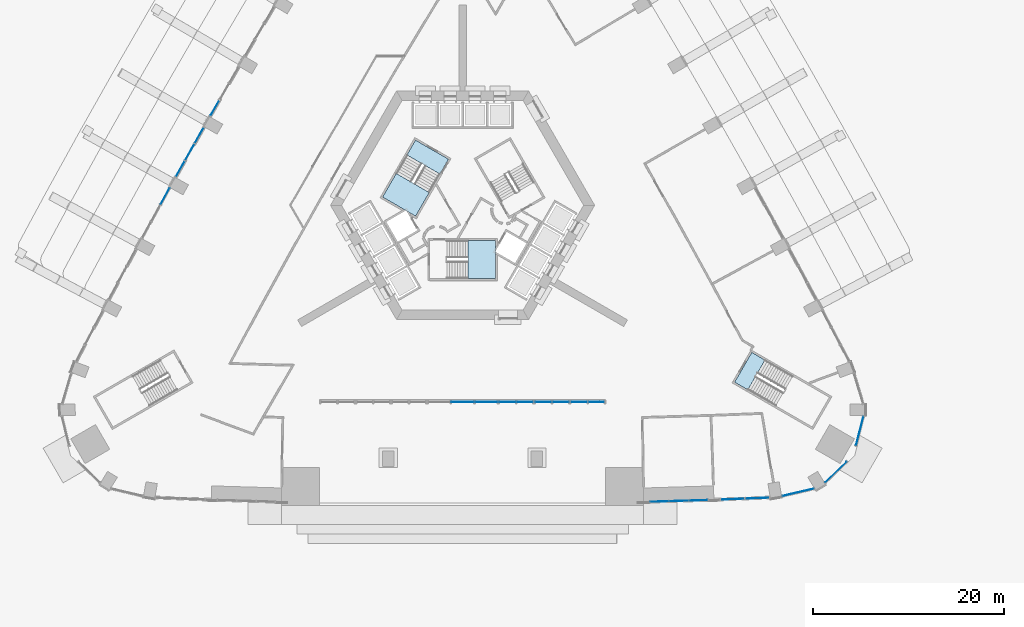
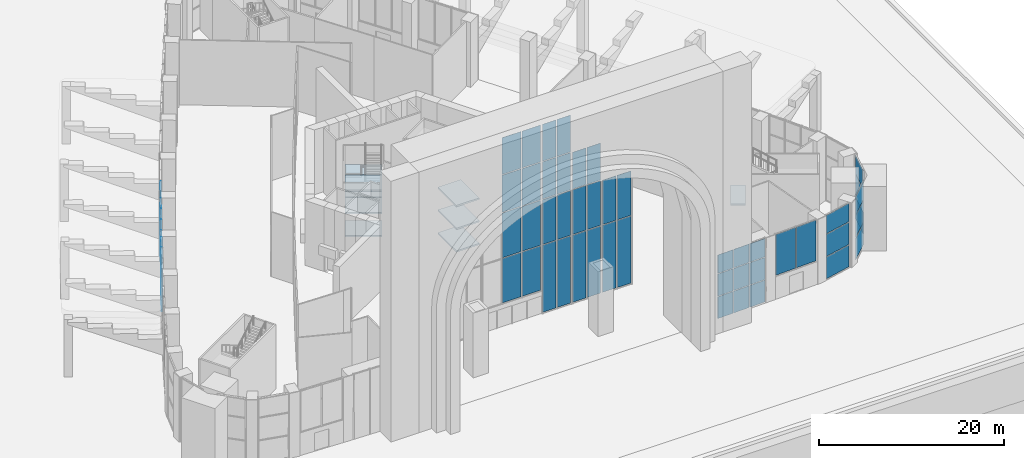
# One storey, part 11 of 36: 53 plates, 9 slabs, 15 elements without a shape of their own.
"""IFC4 building model written with IfcOpenShell, lengths in metres."""

from ifc_helpers import new_model, si_unit, direction, frame, origin, origin_2d, place, context, subcontext, project, spatial, polyline, rectangle, outline, extrude, material, layer, layer_set, type_object, element, aggregate, save


model = new_model("IFC4")

# Units and contexts
model_context = context("Model", 3, precision=1e-05, world=origin(), true_north=direction((0.0, 1.0)))
body_context = subcontext(model_context, "Body", "Model", "MODEL_VIEW")
ifc_project = project(units=[si_unit("LENGTHUNIT", "METRE"), si_unit("AREAUNIT", "SQUARE_METRE"), si_unit("VOLUMEUNIT", "CUBIC_METRE"), si_unit("PLANEANGLEUNIT", "RADIAN"), si_unit("MASSUNIT", "GRAM", prefix="KILO")], contexts=[model_context])

# Site, building, storey
site_placement = place(None, origin())
site = spatial("IfcSite", under=ifc_project, at=site_placement, CompositionType="ELEMENT")
building_placement = place(site_placement, origin())
building = spatial("IfcBuilding", under=site, at=building_placement, Name="Entoto Arch Interchange Tower", CompositionType="ELEMENT")
storey_placement = place(building_placement, origin())
storey = spatial("IfcBuildingStorey", under=building, at=storey_placement, Name="L00", CompositionType="ELEMENT", Elevation=0.0)

# Stair, slabs
ifc_material_1 = material(Name="Concrete C40/50", Category="concrete")
stair_type_1 = type_object("IfcStairType", Name="EXIT STAIR RC 1800", PredefinedType="HALF_TURN_STAIR", material=ifc_material_1)
stair_1_placement = place(storey_placement, origin())
stair_1 = element("IfcStair", 1, at=stair_1_placement, inside=storey, type_object=stair_type_1, Name="L00 Exit stair S", PredefinedType="HALF_TURN_STAIR")
ifc_layer_1 = layer(ifc_material_1, 0.199951171875)
ifc_layer_set_1 = layer_set([ifc_layer_1], Name="Concrete C40/50")
slab_type = type_object("IfcSlabType", Name="EXIT STAIR LANDING RC 200", PredefinedType="LANDING", material=ifc_layer_set_1)
slab_1_placement = place(storey_placement, frame((0.0, 0.0, 1.300048828125)))
slab_1 = element("IfcSlab", 2, at=slab_1_placement, type_object=slab_type, Name="ST-S landing 1", PredefinedType="LANDING", context=body_context, shape_type="SweptSolid", body=[
    extrude(outline(polyline([(0.590087890625, -5.199951171875), (3.449951171875, -5.199951171875), (3.449951171875, -1.199951171875), (0.590087890625, -1.199951171875), (0.590087890625, -5.199951171875)])), origin(), (0.0, 0.0, 1.0), 0.199951171875),
])
slab_2_placement = place(storey_placement, frame((0.0, 0.0, 4.300048828125)))
slab_2 = element("IfcSlab", 3, at=slab_2_placement, type_object=slab_type, Name="ST-S landing 3", PredefinedType="LANDING", context=body_context, shape_type="SweptSolid", body=[
    extrude(outline(polyline([(0.590087890625, -5.199951171875), (3.449951171875, -5.199951171875), (3.449951171875, -1.199951171875), (0.590087890625, -1.199951171875), (0.590087890625, -5.199951171875)])), origin(), (0.0, 0.0, 1.0), 0.199951171875),
])
slab_3_placement = place(storey_placement, frame((0.0, 0.0, 7.300048828125)))
slab_3 = element("IfcSlab", 4, at=slab_3_placement, type_object=slab_type, Name="ST-S landing 5", PredefinedType="LANDING", context=body_context, shape_type="SweptSolid", body=[
    extrude(outline(polyline([(0.590087890625, -5.199951171875), (3.449951171875, -5.199951171875), (3.449951171875, -1.199951171875), (0.590087890625, -1.199951171875), (0.590087890625, -5.199951171875)])), origin(), (0.0, 0.0, 1.0), 0.199951171875),
])
aggregate(stair_1, [slab_1, slab_2, slab_3])

stair_2_placement = place(storey_placement, origin())
stair_2 = element("IfcStair", 5, at=stair_2_placement, inside=storey, type_object=stair_type_1, Name="L00 Exit stair NW", PredefinedType="HALF_TURN_STAIR")
slab_4_placement = place(storey_placement, frame((0.0, 0.0, 1.300048828125)))
slab_4 = element("IfcSlab", 6, at=slab_4_placement, type_object=slab_type, Name="ST-NW landing 1", PredefinedType="LANDING", context=body_context, shape_type="SweptSolid", body=[
    extrude(outline(polyline([(-6.96337890625, 5.839111328125), (-8.393310546875, 3.3623046875), (-4.92919921875, 1.3623046875), (-3.499267578125, 3.839111328125), (-6.96337890625, 5.839111328125)])), origin(), (0.0, 0.0, 1.0), 0.199951171875),
])
slab_5_placement = place(storey_placement, frame((0.0, 0.0, 2.800048828125)))
slab_5 = element("IfcSlab", 7, at=slab_5_placement, type_object=slab_type, Name="ST-NW landing 2", PredefinedType="LANDING", context=body_context, shape_type="SweptSolid", body=[
    extrude(outline(polyline([(-4.943359375, 9.337890625), (-5.843505859375, 7.779052734375), (-2.37939453125, 5.779052734375), (-1.479248046875, 7.337890625), (-4.943359375, 9.337890625)])), origin(), (0.0, 0.0, 1.0), 0.199951171875),
])
slab_6_placement = place(storey_placement, frame((0.0, 0.0, 4.300048828125)))
slab_6 = element("IfcSlab", 8, at=slab_6_placement, type_object=slab_type, Name="ST-NW landing 3", PredefinedType="LANDING", context=body_context, shape_type="SweptSolid", body=[
    extrude(outline(polyline([(-6.96337890625, 5.839111328125), (-8.393310546875, 3.3623046875), (-4.92919921875, 1.3623046875), (-3.499267578125, 3.839111328125), (-6.96337890625, 5.839111328125)])), origin(), (0.0, 0.0, 1.0), 0.199951171875),
])
slab_7_placement = place(storey_placement, frame((0.0, 0.0, 5.800048828125)))
slab_7 = element("IfcSlab", 9, at=slab_7_placement, type_object=slab_type, Name="ST-NW landing 4", PredefinedType="LANDING", context=body_context, shape_type="SweptSolid", body=[
    extrude(outline(polyline([(-4.943359375, 9.337890625), (-5.843505859375, 7.779052734375), (-2.37939453125, 5.779052734375), (-1.479248046875, 7.337890625), (-4.943359375, 9.337890625)])), origin(), (0.0, 0.0, 1.0), 0.199951171875),
])
slab_8_placement = place(storey_placement, frame((0.0, 0.0, 7.300048828125)))
slab_8 = element("IfcSlab", 10, at=slab_8_placement, type_object=slab_type, Name="ST-NW landing 5", PredefinedType="LANDING", context=body_context, shape_type="SweptSolid", body=[
    extrude(outline(polyline([(-6.96337890625, 5.839111328125), (-8.393310546875, 3.3623046875), (-4.92919921875, 1.3623046875), (-3.499267578125, 3.839111328125), (-6.96337890625, 5.839111328125)])), origin(), (0.0, 0.0, 1.0), 0.199951171875),
])
aggregate(stair_2, [slab_4, slab_5, slab_6, slab_7, slab_8])

# Stair, slab
stair_type_2 = type_object("IfcStairType", Name="PODIUM EXIT STAIR RC 1600", PredefinedType="HALF_TURN_STAIR", material=ifc_material_1)
stair_3_placement = place(storey_placement, origin())
stair_3 = element("IfcStair", 11, at=stair_3_placement, inside=storey, type_object=stair_type_2, Name="L00 Podium exit stair south-east", PredefinedType="HALF_TURN_STAIR")
slab_9_placement = place(storey_placement, frame((0.0, 0.0, 4.300048828125)))
slab_9 = element("IfcSlab", 12, at=slab_9_placement, type_object=slab_type, Name="PST-SE landing 2", PredefinedType="LANDING", context=body_context, shape_type="SweptSolid", body=[
    extrude(outline(polyline([(28.544921875, -16.058837890625), (29.930419921875, -16.85888671875), (31.73046875, -13.7412109375), (30.344970703125, -12.941162109375), (28.544921875, -16.058837890625)])), origin(), (0.0, 0.0, 1.0), 0.199951171875),
])
aggregate(stair_3, [slab_9])

# Curtain wall, plates
ifc_material_2 = material(Name="Aluminium, anodised", Category="aluminium")
curtain_wall_type_1 = type_object("IfcCurtainWallType", Name="CURTAIN WALL ARCH SCREEN", PredefinedType="NOTDEFINED", material=ifc_material_2)
curtain_wall_1_placement = place(storey_placement, origin())
curtain_wall_1 = element("IfcCurtainWall", 13, at=curtain_wall_1_placement, inside=storey, type_object=curtain_wall_type_1, Name="Arch screen glazing 6", PredefinedType="NOTDEFINED")
ifc_material_3 = material(Name="Clear glass, low-e double glazed", Category="glass")
ifc_layer_2 = layer(ifc_material_3, 0.035888671875)
ifc_layer_set_2 = layer_set([ifc_layer_2], Name="Clear glass, low-e double glazed")
plate_type_1 = type_object("IfcPlateType", Name="GLAZING PANEL ARCH SCREEN 36", PredefinedType="CURTAIN_PANEL", material=ifc_layer_set_2)
plate_1_placement = place(storey_placement, frame((4.717529296875, -18.125, 0.099853515625), z_axis=(0.0, 0.0, 1.0), x_axis=(1.0, 0.0, 0.0)))
plate_1 = element("IfcPlate", 14, at=plate_1_placement, type_object=plate_type_1, Name="CWR panel 1.1", PredefinedType="CURTAIN_PANEL", context=body_context, shape_type="SweptSolid", body=[
    extrude(rectangle(XDim=1.695068359375, YDim=0.035888671875, at=origin_2d()), origin(), (0.0, 0.0, 1.0), 8.85009765625),
])
plate_2_placement = place(storey_placement, frame((4.717529296875, -18.125, 9.050048828125), z_axis=(0.0, 0.0, 1.0), x_axis=(1.0, 0.0, 0.0)))
plate_2 = element("IfcPlate", 15, at=plate_2_placement, type_object=plate_type_1, Name="CWR panel 1.2", PredefinedType="CURTAIN_PANEL", context=body_context, shape_type="SweptSolid", body=[
    extrude(rectangle(XDim=1.695068359375, YDim=0.035888671875, at=origin_2d()), origin(), (0.0, 0.0, 1.0), 5.89990234375),
])
plate_3_placement = place(storey_placement, frame((4.717529296875, -18.125, 15.050048828125), z_axis=(0.0, 0.0, 1.0), x_axis=(1.0, 0.0, 0.0)))
plate_3 = element("IfcPlate", 16, at=plate_3_placement, type_object=plate_type_1, Name="CWR panel 1.3", PredefinedType="CURTAIN_PANEL", context=body_context, shape_type="SweptSolid", body=[
    extrude(rectangle(XDim=1.695068359375, YDim=0.035888671875, at=origin_2d()), origin(), (0.0, 0.0, 1.0), 4.89990234375),
])
plate_4_placement = place(storey_placement, frame((4.717529296875, -18.125, 20.050048828125), z_axis=(0.0, 0.0, 1.0), x_axis=(1.0, 0.0, 0.0)))
plate_4 = element("IfcPlate", 17, at=plate_4_placement, type_object=plate_type_1, Name="CWR panel 1.4", PredefinedType="CURTAIN_PANEL", context=body_context, shape_type="SweptSolid", body=[
    extrude(rectangle(XDim=1.695068359375, YDim=0.035888671875, at=origin_2d()), origin(), (0.0, 0.0, 1.0), 4.85009765625),
])
plate_5_placement = place(storey_placement, frame((6.532470703125, -18.125, 0.099853515625), z_axis=(0.0, 0.0, 1.0), x_axis=(1.0, 0.0, 0.0)))
plate_5 = element("IfcPlate", 18, at=plate_5_placement, type_object=plate_type_1, Name="CWR panel 2.1", PredefinedType="CURTAIN_PANEL", context=body_context, shape_type="SweptSolid", body=[
    extrude(rectangle(XDim=1.695068359375, YDim=0.035888671875, at=origin_2d()), origin(), (0.0, 0.0, 1.0), 8.85009765625),
])
plate_6_placement = place(storey_placement, frame((6.532470703125, -18.125, 9.050048828125), z_axis=(0.0, 0.0, 1.0), x_axis=(1.0, 0.0, 0.0)))
plate_6 = element("IfcPlate", 19, at=plate_6_placement, type_object=plate_type_1, Name="CWR panel 2.2", PredefinedType="CURTAIN_PANEL", context=body_context, shape_type="SweptSolid", body=[
    extrude(rectangle(XDim=1.695068359375, YDim=0.035888671875, at=origin_2d()), origin(), (0.0, 0.0, 1.0), 5.89990234375),
])
plate_7_placement = place(storey_placement, frame((6.532470703125, -18.125, 15.050048828125), z_axis=(0.0, 0.0, 1.0), x_axis=(1.0, 0.0, 0.0)))
plate_7 = element("IfcPlate", 20, at=plate_7_placement, type_object=plate_type_1, Name="CWR panel 2.3", PredefinedType="CURTAIN_PANEL", context=body_context, shape_type="SweptSolid", body=[
    extrude(rectangle(XDim=1.695068359375, YDim=0.035888671875, at=origin_2d()), origin(), (0.0, 0.0, 1.0), 4.89990234375),
])
plate_8_placement = place(storey_placement, frame((6.532470703125, -18.125, 20.050048828125), z_axis=(0.0, 0.0, 1.0), x_axis=(1.0, 0.0, 0.0)))
plate_8 = element("IfcPlate", 21, at=plate_8_placement, type_object=plate_type_1, Name="CWR panel 2.4", PredefinedType="CURTAIN_PANEL", context=body_context, shape_type="SweptSolid", body=[
    extrude(rectangle(XDim=1.695068359375, YDim=0.035888671875, at=origin_2d()), origin(), (0.0, 0.0, 1.0), 4.85009765625),
])
aggregate(curtain_wall_1, [plate_1, plate_2, plate_3, plate_4, plate_5, plate_6, plate_7, plate_8])

curtain_wall_2_placement = place(storey_placement, origin())
curtain_wall_2 = element("IfcCurtainWall", 22, at=curtain_wall_2_placement, inside=storey, type_object=curtain_wall_type_1, Name="Arch screen glazing 7", PredefinedType="NOTDEFINED")
plate_9_placement = place(storey_placement, frame((8.467529296875, -18.125, 0.099853515625), z_axis=(0.0, 0.0, 1.0), x_axis=(1.0, 0.0, 0.0)))
plate_9 = element("IfcPlate", 23, at=plate_9_placement, type_object=plate_type_1, Name="CWR panel 1.1", PredefinedType="CURTAIN_PANEL", context=body_context, shape_type="SweptSolid", body=[
    extrude(rectangle(XDim=1.695068359375, YDim=0.035888671875, at=origin_2d()), origin(), (0.0, 0.0, 1.0), 8.85009765625),
])
plate_10_placement = place(storey_placement, frame((8.467529296875, -18.125, 9.050048828125), z_axis=(0.0, 0.0, 1.0), x_axis=(1.0, 0.0, 0.0)))
plate_10 = element("IfcPlate", 24, at=plate_10_placement, type_object=plate_type_1, Name="CWR panel 1.2", PredefinedType="CURTAIN_PANEL", context=body_context, shape_type="SweptSolid", body=[
    extrude(rectangle(XDim=1.695068359375, YDim=0.035888671875, at=origin_2d()), origin(), (0.0, 0.0, 1.0), 5.89990234375),
])
plate_11_placement = place(storey_placement, frame((8.467529296875, -18.125, 15.050048828125), z_axis=(0.0, 0.0, 1.0), x_axis=(1.0, 0.0, 0.0)))
plate_11 = element("IfcPlate", 25, at=plate_11_placement, type_object=plate_type_1, Name="CWR panel 1.3", PredefinedType="CURTAIN_PANEL", context=body_context, shape_type="SweptSolid", body=[
    extrude(rectangle(XDim=1.695068359375, YDim=0.035888671875, at=origin_2d()), origin(), (0.0, 0.0, 1.0), 4.85009765625),
])
plate_12_placement = place(storey_placement, frame((10.282470703125, -18.125, 0.099853515625), z_axis=(0.0, 0.0, 1.0), x_axis=(1.0, 0.0, 0.0)))
plate_12 = element("IfcPlate", 26, at=plate_12_placement, type_object=plate_type_1, Name="CWR panel 2.1", PredefinedType="CURTAIN_PANEL", context=body_context, shape_type="SweptSolid", body=[
    extrude(rectangle(XDim=1.695068359375, YDim=0.035888671875, at=origin_2d()), origin(), (0.0, 0.0, 1.0), 8.85009765625),
])
plate_13_placement = place(storey_placement, frame((10.282470703125, -18.125, 9.050048828125), z_axis=(0.0, 0.0, 1.0), x_axis=(1.0, 0.0, 0.0)))
plate_13 = element("IfcPlate", 27, at=plate_13_placement, type_object=plate_type_1, Name="CWR panel 2.2", PredefinedType="CURTAIN_PANEL", context=body_context, shape_type="SweptSolid", body=[
    extrude(rectangle(XDim=1.695068359375, YDim=0.035888671875, at=origin_2d()), origin(), (0.0, 0.0, 1.0), 5.89990234375),
])
plate_14_placement = place(storey_placement, frame((10.282470703125, -18.125, 15.050048828125), z_axis=(0.0, 0.0, 1.0), x_axis=(1.0, 0.0, 0.0)))
plate_14 = element("IfcPlate", 28, at=plate_14_placement, type_object=plate_type_1, Name="CWR panel 2.3", PredefinedType="CURTAIN_PANEL", context=body_context, shape_type="SweptSolid", body=[
    extrude(rectangle(XDim=1.695068359375, YDim=0.035888671875, at=origin_2d()), origin(), (0.0, 0.0, 1.0), 4.85009765625),
])
aggregate(curtain_wall_2, [plate_9, plate_10, plate_11, plate_12, plate_13, plate_14])

curtain_wall_3_placement = place(storey_placement, origin())
curtain_wall_3 = element("IfcCurtainWall", 29, at=curtain_wall_3_placement, inside=storey, type_object=curtain_wall_type_1, Name="Arch screen glazing 8", PredefinedType="NOTDEFINED")
plate_15_placement = place(storey_placement, frame((12.217529296875, -18.125, 0.099853515625), z_axis=(0.0, 0.0, 1.0), x_axis=(1.0, 0.0, 0.0)))
plate_15 = element("IfcPlate", 30, at=plate_15_placement, type_object=plate_type_1, Name="CWR panel 1.1", PredefinedType="CURTAIN_PANEL", context=body_context, shape_type="SweptSolid", body=[
    extrude(rectangle(XDim=1.695068359375, YDim=0.035888671875, at=origin_2d()), origin(), (0.0, 0.0, 1.0), 8.85009765625),
])
plate_16_placement = place(storey_placement, frame((12.217529296875, -18.125, 9.050048828125), z_axis=(0.0, 0.0, 1.0), x_axis=(1.0, 0.0, 0.0)))
plate_16 = element("IfcPlate", 31, at=plate_16_placement, type_object=plate_type_1, Name="CWR panel 1.2", PredefinedType="CURTAIN_PANEL", context=body_context, shape_type="SweptSolid", body=[
    extrude(rectangle(XDim=1.695068359375, YDim=0.035888671875, at=origin_2d()), origin(), (0.0, 0.0, 1.0), 5.85009765625),
])
plate_17_placement = place(storey_placement, frame((14.032470703125, -18.125, 0.099853515625), z_axis=(0.0, 0.0, 1.0), x_axis=(1.0, 0.0, 0.0)))
plate_17 = element("IfcPlate", 32, at=plate_17_placement, type_object=plate_type_1, Name="CWR panel 2.1", PredefinedType="CURTAIN_PANEL", context=body_context, shape_type="SweptSolid", body=[
    extrude(rectangle(XDim=1.695068359375, YDim=0.035888671875, at=origin_2d()), origin(), (0.0, 0.0, 1.0), 8.85009765625),
])
plate_18_placement = place(storey_placement, frame((14.032470703125, -18.125, 9.050048828125), z_axis=(0.0, 0.0, 1.0), x_axis=(1.0, 0.0, 0.0)))
plate_18 = element("IfcPlate", 33, at=plate_18_placement, type_object=plate_type_1, Name="CWR panel 2.2", PredefinedType="CURTAIN_PANEL", context=body_context, shape_type="SweptSolid", body=[
    extrude(rectangle(XDim=1.695068359375, YDim=0.035888671875, at=origin_2d()), origin(), (0.0, 0.0, 1.0), 5.85009765625),
])
aggregate(curtain_wall_3, [plate_15, plate_16, plate_17, plate_18])

curtain_wall_4_placement = place(storey_placement, origin())
curtain_wall_4 = element("IfcCurtainWall", 34, at=curtain_wall_4_placement, inside=storey, type_object=curtain_wall_type_1, Name="Arch entrance glazing", PredefinedType="NOTDEFINED")
plate_19_placement = place(storey_placement, frame((0.0, -18.125, 3.099853515625), z_axis=(0.0, 0.0, 1.0), x_axis=(1.0, 0.0, 0.0)))
plate_19 = element("IfcPlate", 35, at=plate_19_placement, type_object=plate_type_1, Name="CWR panel 2.1", PredefinedType="CURTAIN_PANEL", context=body_context, shape_type="SweptSolid", body=[
    extrude(rectangle(XDim=2.3798828125, YDim=0.035888671875, at=origin_2d()), origin(), (0.0, 0.0, 1.0), 5.85009765625),
])
plate_20_placement = place(storey_placement, frame((0.0, -18.125, 9.050048828125), z_axis=(0.0, 0.0, 1.0), x_axis=(1.0, 0.0, 0.0)))
plate_20 = element("IfcPlate", 36, at=plate_20_placement, type_object=plate_type_1, Name="CWR panel 2.2", PredefinedType="CURTAIN_PANEL", context=body_context, shape_type="SweptSolid", body=[
    extrude(rectangle(XDim=2.3798828125, YDim=0.035888671875, at=origin_2d()), origin(), (0.0, 0.0, 1.0), 5.89990234375),
])
plate_21_placement = place(storey_placement, frame((0.0, -18.125, 15.050048828125), z_axis=(0.0, 0.0, 1.0), x_axis=(1.0, 0.0, 0.0)))
plate_21 = element("IfcPlate", 37, at=plate_21_placement, type_object=plate_type_1, Name="CWR panel 2.3", PredefinedType="CURTAIN_PANEL", context=body_context, shape_type="SweptSolid", body=[
    extrude(rectangle(XDim=2.3798828125, YDim=0.035888671875, at=origin_2d()), origin(), (0.0, 0.0, 1.0), 4.89990234375),
])
plate_22_placement = place(storey_placement, frame((0.0, -18.125, 20.050048828125), z_axis=(0.0, 0.0, 1.0), x_axis=(1.0, 0.0, 0.0)))
plate_22 = element("IfcPlate", 38, at=plate_22_placement, type_object=plate_type_1, Name="CWR panel 2.4", PredefinedType="CURTAIN_PANEL", context=body_context, shape_type="SweptSolid", body=[
    extrude(rectangle(XDim=2.3798828125, YDim=0.035888671875, at=origin_2d()), origin(), (0.0, 0.0, 1.0), 4.85009765625),
])
plate_23_placement = place(storey_placement, frame((2.469970703125, -18.125, 3.099853515625), z_axis=(0.0, 0.0, 1.0), x_axis=(1.0, 0.0, 0.0)))
plate_23 = element("IfcPlate", 39, at=plate_23_placement, type_object=plate_type_1, Name="CWR panel 3.1", PredefinedType="CURTAIN_PANEL", context=body_context, shape_type="SweptSolid", body=[
    extrude(rectangle(XDim=2.320068359375, YDim=0.035888671875, at=origin_2d()), origin(), (0.0, 0.0, 1.0), 5.85009765625),
])
plate_24_placement = place(storey_placement, frame((2.469970703125, -18.125, 9.050048828125), z_axis=(0.0, 0.0, 1.0), x_axis=(1.0, 0.0, 0.0)))
plate_24 = element("IfcPlate", 40, at=plate_24_placement, type_object=plate_type_1, Name="CWR panel 3.2", PredefinedType="CURTAIN_PANEL", context=body_context, shape_type="SweptSolid", body=[
    extrude(rectangle(XDim=2.320068359375, YDim=0.035888671875, at=origin_2d()), origin(), (0.0, 0.0, 1.0), 5.89990234375),
])
plate_25_placement = place(storey_placement, frame((2.469970703125, -18.125, 15.050048828125), z_axis=(0.0, 0.0, 1.0), x_axis=(1.0, 0.0, 0.0)))
plate_25 = element("IfcPlate", 41, at=plate_25_placement, type_object=plate_type_1, Name="CWR panel 3.3", PredefinedType="CURTAIN_PANEL", context=body_context, shape_type="SweptSolid", body=[
    extrude(rectangle(XDim=2.320068359375, YDim=0.035888671875, at=origin_2d()), origin(), (0.0, 0.0, 1.0), 4.89990234375),
])
plate_26_placement = place(storey_placement, frame((2.469970703125, -18.125, 20.050048828125), z_axis=(0.0, 0.0, 1.0), x_axis=(1.0, 0.0, 0.0)))
plate_26 = element("IfcPlate", 42, at=plate_26_placement, type_object=plate_type_1, Name="CWR panel 3.4", PredefinedType="CURTAIN_PANEL", context=body_context, shape_type="SweptSolid", body=[
    extrude(rectangle(XDim=2.320068359375, YDim=0.035888671875, at=origin_2d()), origin(), (0.0, 0.0, 1.0), 4.85009765625),
])
aggregate(curtain_wall_4, [plate_19, plate_20, plate_21, plate_22, plate_23, plate_24, plate_25, plate_26])

curtain_wall_type_2 = type_object("IfcCurtainWallType", Name="CURTAIN WALL GATE HALL", PredefinedType="NOTDEFINED", material=ifc_material_2)
curtain_wall_5_placement = place(storey_placement, origin())
curtain_wall_5 = element("IfcCurtainWall", 43, at=curtain_wall_5_placement, inside=storey, type_object=curtain_wall_type_2, Name="Gate Hall glazing S-04 L00", PredefinedType="NOTDEFINED")
ifc_layer_3 = layer(ifc_material_3, 0.030029296875)
ifc_layer_set_3 = layer_set([ifc_layer_3], Name="Clear glass, low-e double glazed")
plate_type_2 = type_object("IfcPlateType", Name="GLAZING PANEL GATE HALL 30", PredefinedType="CURTAIN_PANEL", material=ifc_layer_set_3)
plate_27_placement = place(storey_placement, frame((20.65283203125, -28.587158203125, 0.080078125), z_axis=(0.0, 0.0, 1.0), x_axis=(0.999546363759, 0.030117547985, 0.0)))
plate_27 = element("IfcPlate", 44, at=plate_27_placement, type_object=plate_type_2, Name="CWG panel 1.1", PredefinedType="CURTAIN_PANEL", context=body_context, shape_type="SweptSolid", body=[
    extrude(rectangle(XDim=1.90869140625, YDim=0.030029296875, at=origin_2d()), origin(), (0.0, 0.0, 1.0), 2.8798828125),
])
plate_28_placement = place(storey_placement, frame((20.65283203125, -28.587158203125, 3.0400390625), z_axis=(0.0, 0.0, 1.0), x_axis=(0.999546363759, 0.030117547985, 0.0)))
plate_28 = element("IfcPlate", 45, at=plate_28_placement, type_object=plate_type_2, Name="CWG panel 1.2", PredefinedType="CURTAIN_PANEL", context=body_context, shape_type="SweptSolid", body=[
    extrude(rectangle(XDim=1.90869140625, YDim=0.030029296875, at=origin_2d()), origin(), (0.0, 0.0, 1.0), 2.919921875),
])
plate_29_placement = place(storey_placement, frame((20.65283203125, -28.587158203125, 6.0400390625), z_axis=(0.0, 0.0, 1.0), x_axis=(0.999546363759, 0.030117547985, 0.0)))
plate_29 = element("IfcPlate", 46, at=plate_29_placement, type_object=plate_type_2, Name="CWG panel 1.3", PredefinedType="CURTAIN_PANEL", context=body_context, shape_type="SweptSolid", body=[
    extrude(rectangle(XDim=1.90869140625, YDim=0.030029296875, at=origin_2d()), origin(), (0.0, 0.0, 1.0), 2.429931640625),
])
plate_30_placement = place(storey_placement, frame((22.685546875, -28.52587890625, 0.080078125), z_axis=(0.0, 0.0, 1.0), x_axis=(0.999546363759, 0.030117547985, 0.0)))
plate_30 = element("IfcPlate", 47, at=plate_30_placement, type_object=plate_type_2, Name="CWG panel 2.1", PredefinedType="CURTAIN_PANEL", context=body_context, shape_type="SweptSolid", body=[
    extrude(rectangle(XDim=1.95849609375, YDim=0.030029296875, at=origin_2d()), origin(), (0.0, 0.0, 1.0), 2.8798828125),
])
plate_31_placement = place(storey_placement, frame((22.685546875, -28.52587890625, 3.0400390625), z_axis=(0.0, 0.0, 1.0), x_axis=(0.999546363759, 0.030117547985, 0.0)))
plate_31 = element("IfcPlate", 48, at=plate_31_placement, type_object=plate_type_2, Name="CWG panel 2.2", PredefinedType="CURTAIN_PANEL", context=body_context, shape_type="SweptSolid", body=[
    extrude(rectangle(XDim=1.95849609375, YDim=0.030029296875, at=origin_2d()), origin(), (0.0, 0.0, 1.0), 2.919921875),
])
plate_32_placement = place(storey_placement, frame((22.685546875, -28.52587890625, 6.0400390625), z_axis=(0.0, 0.0, 1.0), x_axis=(0.999546363759, 0.030117547985, 0.0)))
plate_32 = element("IfcPlate", 49, at=plate_32_placement, type_object=plate_type_2, Name="CWG panel 2.3", PredefinedType="CURTAIN_PANEL", context=body_context, shape_type="SweptSolid", body=[
    extrude(rectangle(XDim=1.95849609375, YDim=0.030029296875, at=origin_2d()), origin(), (0.0, 0.0, 1.0), 2.429931640625),
])
plate_33_placement = place(storey_placement, frame((24.71826171875, -28.46484375, 0.080078125), z_axis=(0.0, 0.0, 1.0), x_axis=(0.999546363759, 0.030117547985, 0.0)))
plate_33 = element("IfcPlate", 50, at=plate_33_placement, type_object=plate_type_2, Name="CWG panel 3.1", PredefinedType="CURTAIN_PANEL", context=body_context, shape_type="SweptSolid", body=[
    extrude(rectangle(XDim=1.90869140625, YDim=0.030029296875, at=origin_2d()), origin(), (0.0, 0.0, 1.0), 2.8798828125),
])
plate_34_placement = place(storey_placement, frame((24.71826171875, -28.46484375, 3.0400390625), z_axis=(0.0, 0.0, 1.0), x_axis=(0.999546363759, 0.030117547985, 0.0)))
plate_34 = element("IfcPlate", 51, at=plate_34_placement, type_object=plate_type_2, Name="CWG panel 3.2", PredefinedType="CURTAIN_PANEL", context=body_context, shape_type="SweptSolid", body=[
    extrude(rectangle(XDim=1.90869140625, YDim=0.030029296875, at=origin_2d()), origin(), (0.0, 0.0, 1.0), 2.919921875),
])
plate_35_placement = place(storey_placement, frame((24.71826171875, -28.46484375, 6.0400390625), z_axis=(0.0, 0.0, 1.0), x_axis=(0.999546363759, 0.030117547985, 0.0)))
plate_35 = element("IfcPlate", 52, at=plate_35_placement, type_object=plate_type_2, Name="CWG panel 3.3", PredefinedType="CURTAIN_PANEL", context=body_context, shape_type="SweptSolid", body=[
    extrude(rectangle(XDim=1.90869140625, YDim=0.030029296875, at=origin_2d()), origin(), (0.0, 0.0, 1.0), 2.429931640625),
])
aggregate(curtain_wall_5, [plate_27, plate_28, plate_29, plate_30, plate_31, plate_32, plate_33, plate_34, plate_35])

curtain_wall_6_placement = place(storey_placement, origin())
curtain_wall_6 = element("IfcCurtainWall", 53, at=curtain_wall_6_placement, inside=storey, type_object=curtain_wall_type_2, Name="Gate Hall glazing S-05 L00", PredefinedType="NOTDEFINED")
plate_36_placement = place(storey_placement, frame((28.326416015625, -28.338134765625, 3.080078125), z_axis=(0.0, 0.0, 1.0), x_axis=(0.999233683462, 0.039141357085, 0.0)))
plate_36 = element("IfcPlate", 54, at=plate_36_placement, type_object=plate_type_2, Name="CWG panel 1.1", PredefinedType="CURTAIN_PANEL", context=body_context, shape_type="SweptSolid", body=[
    extrude(rectangle(XDim=2.507080078125, YDim=0.030029296875, at=origin_2d()), origin(), (0.0, 0.0, 1.0), 5.389892578125),
])
plate_37_placement = place(storey_placement, frame((30.931640625, -28.236083984375, 3.080078125), z_axis=(0.0, 0.0, 1.0), x_axis=(0.999233683462, 0.039141357085, 0.0)))
plate_37 = element("IfcPlate", 55, at=plate_37_placement, type_object=plate_type_2, Name="CWG panel 2.1", PredefinedType="CURTAIN_PANEL", context=body_context, shape_type="SweptSolid", body=[
    extrude(rectangle(XDim=2.507080078125, YDim=0.030029296875, at=origin_2d()), origin(), (0.0, 0.0, 1.0), 5.389892578125),
])
aggregate(curtain_wall_6, [plate_36, plate_37])

curtain_wall_7_placement = place(storey_placement, origin())
curtain_wall_7 = element("IfcCurtainWall", 56, at=curtain_wall_7_placement, inside=storey, type_object=curtain_wall_type_2, Name="Gate Hall glazing SE-01 L00", PredefinedType="NOTDEFINED")
plate_38_placement = place(storey_placement, frame((35.20556640625, -27.617431640625, 0.080078125), z_axis=(0.0, 0.0, 1.0), x_axis=(0.973597742575, 0.228270531722, 0.0)))
plate_38 = element("IfcPlate", 57, at=plate_38_placement, type_object=plate_type_2, Name="CWG panel 1.1", PredefinedType="CURTAIN_PANEL", context=body_context, shape_type="SweptSolid", body=[
    extrude(rectangle(XDim=3.352783203125, YDim=0.030029296875, at=origin_2d()), origin(), (0.0, 0.0, 1.0), 2.8798828125),
])
plate_39_placement = place(storey_placement, frame((35.20556640625, -27.617431640625, 3.0400390625), z_axis=(0.0, 0.0, 1.0), x_axis=(0.973597742575, 0.228270531722, 0.0)))
plate_39 = element("IfcPlate", 58, at=plate_39_placement, type_object=plate_type_2, Name="CWG panel 1.2", PredefinedType="CURTAIN_PANEL", context=body_context, shape_type="SweptSolid", body=[
    extrude(rectangle(XDim=3.352783203125, YDim=0.030029296875, at=origin_2d()), origin(), (0.0, 0.0, 1.0), 2.919921875),
])
plate_40_placement = place(storey_placement, frame((35.20556640625, -27.617431640625, 6.0400390625), z_axis=(0.0, 0.0, 1.0), x_axis=(0.973597742575, 0.228270531722, 0.0)))
plate_40 = element("IfcPlate", 59, at=plate_40_placement, type_object=plate_type_2, Name="CWG panel 1.3", PredefinedType="CURTAIN_PANEL", context=body_context, shape_type="SweptSolid", body=[
    extrude(rectangle(XDim=3.352783203125, YDim=0.030029296875, at=origin_2d()), origin(), (0.0, 0.0, 1.0), 2.429931640625),
])
aggregate(curtain_wall_7, [plate_38, plate_39, plate_40])

curtain_wall_8_placement = place(storey_placement, origin())
curtain_wall_8 = element("IfcCurtainWall", 60, at=curtain_wall_8_placement, inside=storey, type_object=curtain_wall_type_2, Name="Gate Hall glazing SE-02 L00", PredefinedType="NOTDEFINED")
plate_41_placement = place(storey_placement, frame((39.179443359375, -25.491455078125, 0.080078125), z_axis=(0.0, 0.0, 1.0), x_axis=(0.717629670628, 0.696424910406, 0.0)))
plate_41 = element("IfcPlate", 61, at=plate_41_placement, type_object=plate_type_2, Name="CWG panel 1.1", PredefinedType="CURTAIN_PANEL", context=body_context, shape_type="SweptSolid", body=[
    extrude(rectangle(XDim=3.10107421875, YDim=0.030029296875, at=origin_2d()), origin(), (0.0, 0.0, 1.0), 2.8798828125),
])
plate_42_placement = place(storey_placement, frame((39.179443359375, -25.491455078125, 3.0400390625), z_axis=(0.0, 0.0, 1.0), x_axis=(0.717629670628, 0.696424910406, 0.0)))
plate_42 = element("IfcPlate", 62, at=plate_42_placement, type_object=plate_type_2, Name="CWG panel 1.2", PredefinedType="CURTAIN_PANEL", context=body_context, shape_type="SweptSolid", body=[
    extrude(rectangle(XDim=3.10107421875, YDim=0.030029296875, at=origin_2d()), origin(), (0.0, 0.0, 1.0), 2.919921875),
])
plate_43_placement = place(storey_placement, frame((39.179443359375, -25.491455078125, 6.0400390625), z_axis=(0.0, 0.0, 1.0), x_axis=(0.717629670628, 0.696424910406, 0.0)))
plate_43 = element("IfcPlate", 63, at=plate_43_placement, type_object=plate_type_2, Name="CWG panel 1.3", PredefinedType="CURTAIN_PANEL", context=body_context, shape_type="SweptSolid", body=[
    extrude(rectangle(XDim=3.10107421875, YDim=0.030029296875, at=origin_2d()), origin(), (0.0, 0.0, 1.0), 2.429931640625),
])
aggregate(curtain_wall_8, [plate_41, plate_42, plate_43])

curtain_wall_9_placement = place(storey_placement, origin())
curtain_wall_9 = element("IfcCurtainWall", 64, at=curtain_wall_9_placement, inside=storey, type_object=curtain_wall_type_2, Name="Gate Hall glazing SE-03 L00", PredefinedType="NOTDEFINED")
plate_44_placement = place(storey_placement, frame((41.666015625, -21.1845703125, 0.080078125), z_axis=(0.0, 0.0, 1.0), x_axis=(0.244174753037, 0.969731246263, 0.0)))
plate_44 = element("IfcPlate", 65, at=plate_44_placement, type_object=plate_type_2, Name="CWG panel 1.1", PredefinedType="CURTAIN_PANEL", context=body_context, shape_type="SweptSolid", body=[
    extrude(rectangle(XDim=3.100830078125, YDim=0.030029296875, at=origin_2d()), origin(), (0.0, 0.0, 1.0), 2.8798828125),
])
plate_45_placement = place(storey_placement, frame((41.666015625, -21.1845703125, 3.0400390625), z_axis=(0.0, 0.0, 1.0), x_axis=(0.244174753037, 0.969731246263, 0.0)))
plate_45 = element("IfcPlate", 66, at=plate_45_placement, type_object=plate_type_2, Name="CWG panel 1.2", PredefinedType="CURTAIN_PANEL", context=body_context, shape_type="SweptSolid", body=[
    extrude(rectangle(XDim=3.100830078125, YDim=0.030029296875, at=origin_2d()), origin(), (0.0, 0.0, 1.0), 2.919921875),
])
plate_46_placement = place(storey_placement, frame((41.666015625, -21.1845703125, 6.0400390625), z_axis=(0.0, 0.0, 1.0), x_axis=(0.244174753037, 0.969731246263, 0.0)))
plate_46 = element("IfcPlate", 67, at=plate_46_placement, type_object=plate_type_2, Name="CWG panel 1.3", PredefinedType="CURTAIN_PANEL", context=body_context, shape_type="SweptSolid", body=[
    extrude(rectangle(XDim=3.100830078125, YDim=0.030029296875, at=origin_2d()), origin(), (0.0, 0.0, 1.0), 2.429931640625),
])
aggregate(curtain_wall_9, [plate_44, plate_45, plate_46])

# Curtain wall, plate
curtain_wall_10_placement = place(storey_placement, origin())
curtain_wall_10 = element("IfcCurtainWall", 68, at=curtain_wall_10_placement, inside=storey, type_object=curtain_wall_type_2, Name="Gate Hall glazing NW-05 L00", PredefinedType="NOTDEFINED")
plate_47_placement = place(storey_placement, frame((-26.005615234375, 12.689208984375, 3.080078125), z_axis=(0.0, 0.0, 1.0), x_axis=(-0.500165905747, -0.865929596866, 0.0)))
plate_47 = element("IfcPlate", 69, at=plate_47_placement, type_object=plate_type_2, Name="CWG panel 3.1", PredefinedType="CURTAIN_PANEL", context=body_context, shape_type="SweptSolid", body=[
    extrude(rectangle(XDim=1.888671875, YDim=0.030029296875, at=origin_2d()), origin(), (0.0, 0.0, 1.0), 5.389892578125),
])
aggregate(curtain_wall_10, [plate_47])

# Curtain wall, plates
curtain_wall_11_placement = place(storey_placement, origin())
curtain_wall_11 = element("IfcCurtainWall", 70, at=curtain_wall_11_placement, inside=storey, type_object=curtain_wall_type_2, Name="Gate Hall glazing NW-06 L00", PredefinedType="NOTDEFINED")
plate_48_placement = place(storey_placement, frame((-27.6376953125, 9.831298828125, 3.080078125), z_axis=(0.0, 0.0, 1.0), x_axis=(-0.491626352735, -0.870806252444, 0.0)))
plate_48 = element("IfcPlate", 71, at=plate_48_placement, type_object=plate_type_2, Name="CWG panel 1.1", PredefinedType="CURTAIN_PANEL", context=body_context, shape_type="SweptSolid", body=[
    extrude(rectangle(XDim=1.889404296875, YDim=0.030029296875, at=origin_2d()), origin(), (0.0, 0.0, 1.0), 5.389892578125),
])
plate_49_placement = place(storey_placement, frame((-28.6279296875, 8.076904296875, 3.080078125), z_axis=(0.0, 0.0, 1.0), x_axis=(-0.491626352735, -0.870806252444, 0.0)))
plate_49 = element("IfcPlate", 72, at=plate_49_placement, type_object=plate_type_2, Name="CWG panel 2.1", PredefinedType="CURTAIN_PANEL", context=body_context, shape_type="SweptSolid", body=[
    extrude(rectangle(XDim=1.939453125, YDim=0.030029296875, at=origin_2d()), origin(), (0.0, 0.0, 1.0), 5.389892578125),
])
plate_50_placement = place(storey_placement, frame((-29.618408203125, 6.32275390625, 3.080078125), z_axis=(0.0, 0.0, 1.0), x_axis=(-0.491626352735, -0.870806252444, 0.0)))
plate_50 = element("IfcPlate", 73, at=plate_50_placement, type_object=plate_type_2, Name="CWG panel 3.1", PredefinedType="CURTAIN_PANEL", context=body_context, shape_type="SweptSolid", body=[
    extrude(rectangle(XDim=1.889404296875, YDim=0.030029296875, at=origin_2d()), origin(), (0.0, 0.0, 1.0), 5.389892578125),
])
aggregate(curtain_wall_11, [plate_48, plate_49, plate_50])

curtain_wall_12_placement = place(storey_placement, origin())
curtain_wall_12 = element("IfcCurtainWall", 74, at=curtain_wall_12_placement, inside=storey, type_object=curtain_wall_type_2, Name="Gate Hall glazing NW-07 L00", PredefinedType="NOTDEFINED")
plate_51_placement = place(storey_placement, frame((-31.2216796875, 3.44873046875, 0.080078125), z_axis=(0.0, 0.0, 1.0), x_axis=(-0.483267495036, -0.875472745573, 0.0)))
plate_51 = element("IfcPlate", 75, at=plate_51_placement, type_object=plate_type_2, Name="CWG panel 1.1", PredefinedType="CURTAIN_PANEL", context=body_context, shape_type="SweptSolid", body=[
    extrude(rectangle(XDim=1.888916015625, YDim=0.030029296875, at=origin_2d()), origin(), (0.0, 0.0, 1.0), 2.8798828125),
])
plate_52_placement = place(storey_placement, frame((-31.2216796875, 3.44873046875, 3.0400390625), z_axis=(0.0, 0.0, 1.0), x_axis=(-0.483267495036, -0.875472745573, 0.0)))
plate_52 = element("IfcPlate", 76, at=plate_52_placement, type_object=plate_type_2, Name="CWG panel 1.2", PredefinedType="CURTAIN_PANEL", context=body_context, shape_type="SweptSolid", body=[
    extrude(rectangle(XDim=1.888916015625, YDim=0.030029296875, at=origin_2d()), origin(), (0.0, 0.0, 1.0), 2.919921875),
])
plate_53_placement = place(storey_placement, frame((-31.2216796875, 3.44873046875, 6.0400390625), z_axis=(0.0, 0.0, 1.0), x_axis=(-0.483267495036, -0.875472745573, 0.0)))
plate_53 = element("IfcPlate", 77, at=plate_53_placement, type_object=plate_type_2, Name="CWG panel 1.3", PredefinedType="CURTAIN_PANEL", context=body_context, shape_type="SweptSolid", body=[
    extrude(rectangle(XDim=1.888916015625, YDim=0.030029296875, at=origin_2d()), origin(), (0.0, 0.0, 1.0), 2.429931640625),
])
aggregate(curtain_wall_12, [plate_51, plate_52, plate_53])

save(model, "model.ifc")
